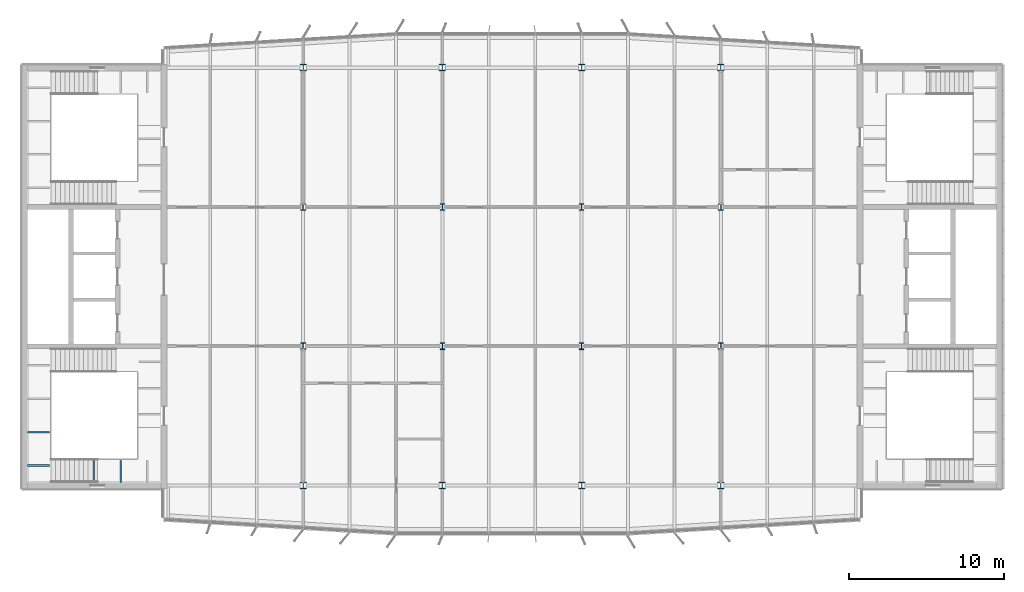
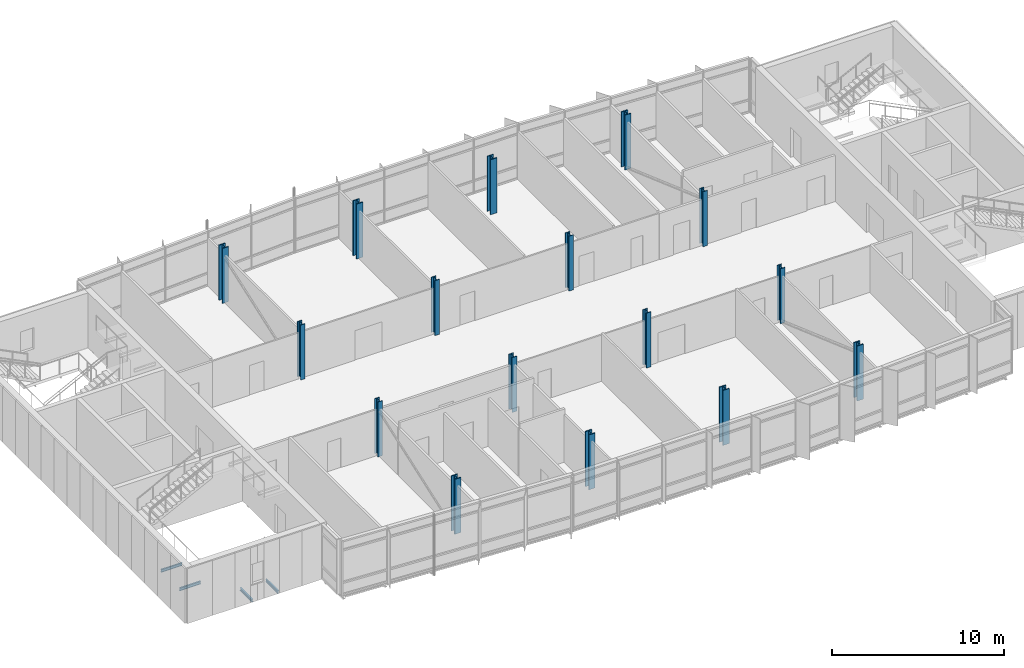
# One storey, part 1 of 18: 16 columns, 4 beams.
"""IFC4 building model written with IfcOpenShell, lengths in metres."""

from ifc_helpers import new_model, si_unit, direction, frame, origin, origin_2d, place, context, subcontext, project, spatial, i_section, extrude, material, material_profile, profile_set, type_object, element, save


model = new_model("IFC4")

# Units and contexts
model_context = context("Model", 3, precision=1e-05, world=origin(), true_north=direction((0.0, 1.0)))
body_context = subcontext(model_context, "Body", "Model", "MODEL_VIEW")
ifc_project = project(units=[si_unit("LENGTHUNIT", "METRE"), si_unit("AREAUNIT", "SQUARE_METRE"), si_unit("VOLUMEUNIT", "CUBIC_METRE"), si_unit("PLANEANGLEUNIT", "RADIAN"), si_unit("MASSUNIT", "GRAM", prefix="KILO")], contexts=[model_context])

# Site, building, storey
site_placement = place(None, origin())
site = spatial("IfcSite", under=ifc_project, at=site_placement, CompositionType="ELEMENT")
building_placement = place(site_placement, origin())
building = spatial("IfcBuilding", under=site, at=building_placement, Name="Azimuth Sports and Learning Centre", CompositionType="ELEMENT")
storey_placement = place(building_placement, frame((0.0, 0.0, 55.800048828125)))
storey = spatial("IfcBuildingStorey", under=building, at=storey_placement, Name="L12", CompositionType="ELEMENT", Elevation=55.800048828125)

# Columns
ifc_material_1 = material(Name="Steel S460", Category="steel")
ifc_material_profile_1 = material_profile(ifc_material_1, i_section(OverallWidth=0.41796875, OverallDepth=0.455078125, WebThickness=0.0419921875, FlangeThickness=0.067626953125, FilletRadius=0.014892578125, at=origin_2d()), Name="HD 400x551")
ifc_profile_set_1 = profile_set([ifc_material_profile_1], Name="Steel S460")
column_type_1 = type_object("IfcColumnType", Name="Column HD 400x551", PredefinedType="COLUMN", material=ifc_profile_set_1)
for number, where, z_axis, x_axis, name in (
    (1, (72.0, 90.0, 0.0), (0.0, 0.0, 1.0), (1.0, 0.0, 0.0), "Hall column 9L L12"),
    (2, (81.0, 90.0, 0.0), (0.0, 0.0, 1.0), (1.0, 0.0, 0.0), "Hall column 10L L12"),
    (3, (90.0, 90.0, 0.0), (0.0, 0.0, 1.0), (1.0, 0.0, 0.0), "Hall column 11L L12"),
    (4, (99.0, 90.0, 0.0), (0.0, 0.0, 1.0), (1.0, 0.0, 0.0), "Hall column 12L L12"),
    (5, (72.0, 117.0, 0.0), (0.0, 0.0, 1.0), (1.0, 0.0, 0.0), "Hall column 9P L12"),
    (6, (81.0, 117.0, 0.0), (0.0, 0.0, 1.0), (1.0, 0.0, 0.0), "Hall column 10P L12"),
    (7, (90.0, 117.0, 0.0), (0.0, 0.0, 1.0), (1.0, 0.0, 0.0), "Hall column 11P L12"),
    (8, (99.0, 117.0, 0.0), (0.0, 0.0, 1.0), (1.0, 0.0, 0.0), "Hall column 12P L12"),
):
    element("IfcColumn", number, at=place(storey_placement, frame(where, z_axis=z_axis, x_axis=x_axis)), inside=storey, type_object=column_type_1, Name=name, PredefinedType="COLUMN", context=body_context, shape_type="SweptSolid", body=[
        extrude(i_section(OverallWidth=0.41796875, OverallDepth=0.455078125, WebThickness=0.0419921875, FlangeThickness=0.067626953125, FilletRadius=0.014892578125, at=origin_2d()), origin(), (0.0, 0.0, 1.0), 3.89990234375),
    ])
ifc_material_2 = material(Name="Steel S355", Category="steel")
ifc_material_profile_2 = material_profile(ifc_material_2, i_section(OverallWidth=0.306884765625, OverallDepth=0.431884765625, WebThickness=0.02099609375, FlangeThickness=0.0400390625, FilletRadius=0.027099609375, at=origin_2d()), Name="HEM 400")
ifc_profile_set_2 = profile_set([ifc_material_profile_2], Name="Steel S355")
column_type_2 = type_object("IfcColumnType", Name="Column HEM 400", PredefinedType="COLUMN", material=ifc_profile_set_2)
for number, where, z_axis, x_axis, name in (
    (9, (72.0, 99.0, 0.0), (0.0, 0.0, 1.0), (1.0, 0.0, 0.0), "Tower column 9M L12"),
    (10, (81.0, 99.0, 0.0), (0.0, 0.0, 1.0), (1.0, 0.0, 0.0), "Tower column 10M L12"),
    (11, (90.0, 99.0, 0.0), (0.0, 0.0, 1.0), (1.0, 0.0, 0.0), "Tower column 11M L12"),
    (12, (99.0, 99.0, 0.0), (0.0, 0.0, 1.0), (1.0, 0.0, 0.0), "Tower column 12M L12"),
    (13, (72.0, 108.0, 0.0), (0.0, 0.0, 1.0), (1.0, 0.0, 0.0), "Tower column 9N L12"),
    (14, (81.0, 108.0, 0.0), (0.0, 0.0, 1.0), (1.0, 0.0, 0.0), "Tower column 10N L12"),
    (15, (90.0, 108.0, 0.0), (0.0, 0.0, 1.0), (1.0, 0.0, 0.0), "Tower column 11N L12"),
    (16, (99.0, 108.0, 0.0), (0.0, 0.0, 1.0), (1.0, 0.0, 0.0), "Tower column 12N L12"),
):
    element("IfcColumn", number, at=place(storey_placement, frame(where, z_axis=z_axis, x_axis=x_axis)), inside=storey, type_object=column_type_2, Name=name, PredefinedType="COLUMN", context=body_context, shape_type="SweptSolid", body=[
        extrude(i_section(OverallWidth=0.306884765625, OverallDepth=0.431884765625, WebThickness=0.02099609375, FlangeThickness=0.0400390625, FilletRadius=0.027099609375, at=origin_2d()), origin(), (0.0, 0.0, 1.0), 3.89990234375),
    ])

# Beams
ifc_material_3 = material(Name="Steel S355", Category="steel")
ifc_material_profile_3 = material_profile(ifc_material_3, i_section(OverallWidth=0.10009765625, OverallDepth=0.199951171875, WebThickness=0.005615234375, FlangeThickness=0.008544921875, FilletRadius=0.011962890625, at=origin_2d()), Name="IPE 200")
ifc_profile_set_3 = profile_set([ifc_material_profile_3], Name="Steel S355")
beam_type = type_object("IfcBeamType", Name="Beam IPE 200", PredefinedType="BEAM", material=ifc_profile_set_3)
for number, where, z_axis, x_axis, name in (
    (17, (58.473388671875, 90.199951171875, -0.300048828125), (0.0, 1.0, 0.0), (-1.0, 0.0, 0.0), "Landing bracket W1 L12 119"),
    (18, (60.199951171875, 90.199951171875, -0.300048828125), (0.0, 1.0, 0.0), (-1.0, 0.0, 0.0), "Landing bracket W1 L12 120"),
    (19, (54.199951171875, 91.288818359375, 1.349853515625), (1.0, 0.0, 0.0), (0.0, 1.0, 0.0), "Landing bracket W1 L12 122"),
    (20, (54.199951171875, 93.4462890625, 1.349853515625), (1.0, 0.0, 0.0), (0.0, 1.0, 0.0), "Landing bracket W1 L12 123"),
):
    element("IfcBeam", number, at=place(storey_placement, frame(where, z_axis=z_axis, x_axis=x_axis)), inside=storey, type_object=beam_type, Name=name, PredefinedType="BEAM", context=body_context, shape_type="SweptSolid", body=[
        extrude(i_section(OverallWidth=0.10009765625, OverallDepth=0.199951171875, WebThickness=0.005615234375, FlangeThickness=0.008544921875, FilletRadius=0.011962890625, at=origin_2d()), origin(), (0.0, 0.0, 1.0), 1.41015625),
    ])

save(model, "model.ifc")
